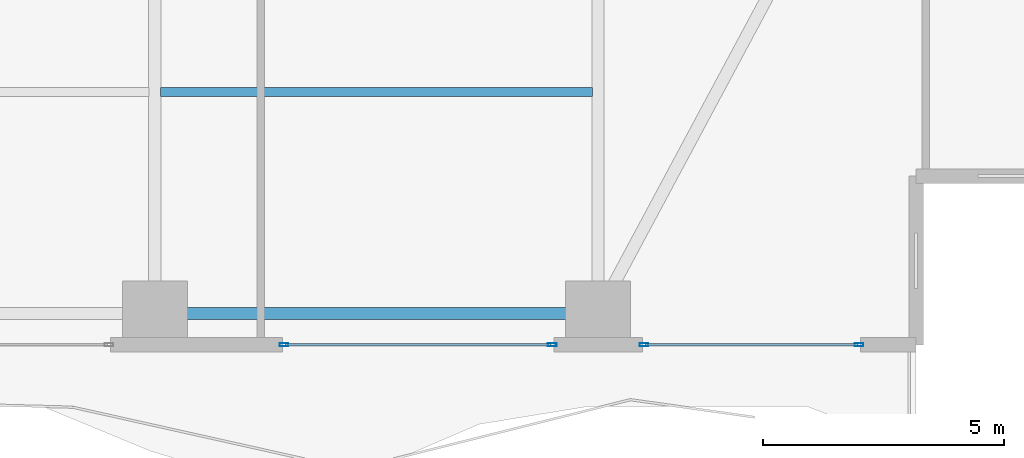
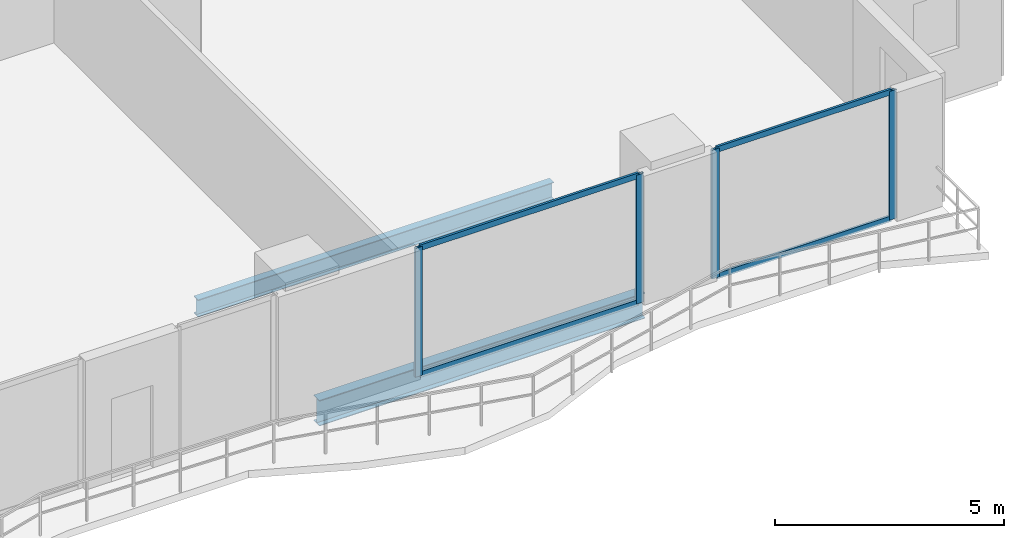
# One storey, part 9 of 29: 8 members, 2 beams, 2 elements without a shape of their own.
"""IFC4 building model written with IfcOpenShell, lengths in metres."""

from ifc_helpers import new_model, si_unit, direction, frame, origin, origin_2d, place, context, subcontext, project, spatial, hollow_rectangle, i_section, extrude, material, layer, layer_set, material_profile, profile_set, type_object, element, aggregate, save


model = new_model("IFC4")

# Units and contexts
model_context = context("Model", 3, precision=1e-05, world=origin(), true_north=direction((0.0, 1.0)))
body_context = subcontext(model_context, "Body", "Model", "MODEL_VIEW")
ifc_project = project(units=[si_unit("LENGTHUNIT", "METRE"), si_unit("AREAUNIT", "SQUARE_METRE"), si_unit("VOLUMEUNIT", "CUBIC_METRE"), si_unit("PLANEANGLEUNIT", "RADIAN"), si_unit("MASSUNIT", "GRAM", prefix="KILO")], contexts=[model_context])

# Site, building, storey
site_placement = place(None, origin())
site = spatial("IfcSite", under=ifc_project, at=site_placement, CompositionType="ELEMENT")
building_placement = place(site_placement, origin())
building = spatial("IfcBuilding", under=site, at=building_placement, Name="Zuhayl Quay Hotel", CompositionType="ELEMENT")
storey_placement = place(building_placement, frame((0.0, 0.0, 113.89990234375)))
storey = spatial("IfcBuildingStorey", under=building, at=storey_placement, Name="L28", CompositionType="ELEMENT", Elevation=113.89990234375)

# Beams
ifc_material_1 = material(Name="Steel ASTM A992 Grade 50", Category="steel")
ifc_material_profile_1 = material_profile(ifc_material_1, i_section(OverallWidth=0.25390625, OverallDepth=0.68310546875, WebThickness=0.012451171875, FlangeThickness=0.018798828125, at=origin_2d()), Name="W27X94")
ifc_profile_set_1 = profile_set([ifc_material_profile_1], Name="Steel ASTM A992 Grade 50")
beam_type_1 = type_object("IfcBeamType", Name="BM_B2_W27X94", PredefinedType="BEAM", material=ifc_profile_set_1)
beam_1_placement = place(storey_placement, frame((5.10009765625, -14.75, -0.5615234375), z_axis=(1.0, 0.0, 0.0), x_axis=(0.0, 1.0, 0.0)))
element("IfcBeam", 1, at=beam_1_placement, inside=storey, type_object=beam_type_1, Name="L28 Floor Beam RG_L28_03", PredefinedType="BEAM", context=body_context, shape_type="SweptSolid", body=[
    extrude(i_section(OverallWidth=0.25390625, OverallDepth=0.68310546875, WebThickness=0.012451171875, FlangeThickness=0.018798828125, at=origin_2d()), origin(), (0.0, 0.0, 1.0), 8.199951171875),
])
ifc_material_profile_2 = material_profile(ifc_material_1, i_section(OverallWidth=0.18994140625, OverallDepth=0.45703125, WebThickness=0.009033203125, FlangeThickness=0.014404296875, at=origin_2d()), Name="W18X50")
ifc_profile_set_2 = profile_set([ifc_material_profile_2], Name="Steel ASTM A992 Grade 50")
beam_type_2 = type_object("IfcBeamType", Name="BM_J2_W18X50", PredefinedType="JOIST", material=ifc_profile_set_2)
beam_2_placement = place(storey_placement, frame((4.718994140625, -10.14990234375, -0.448486328125), z_axis=(1.0, 0.0, 0.0), x_axis=(0.0, 1.0, 0.0)))
element("IfcBeam", 2, at=beam_2_placement, inside=storey, type_object=beam_type_2, Name="L28 Floor Beam FJ_L28_5_3", PredefinedType="JOIST", context=body_context, shape_type="SweptSolid", body=[
    extrude(i_section(OverallWidth=0.18994140625, OverallDepth=0.45703125, WebThickness=0.009033203125, FlangeThickness=0.014404296875, at=origin_2d()), origin(), (0.0, 0.0, 1.0), 8.9619140625),
])

# Curtain wall, members
ifc_material_2 = material(Name="Anodised Aluminium 6063-T6", Category="aluminium")
ifc_layer = layer(ifc_material_2, 0.179931640625, Name="Anodised Aluminium 6063-T6", Category="aluminium")
ifc_layer_set = layer_set([ifc_layer], Name="Anodised Aluminium 6063-T6")
curtain_wall_type = type_object("IfcCurtainWallType", Name="CW_SYS_Z2", PredefinedType="USERDEFINED", material=ifc_layer_set)
curtain_wall_1_placement = place(storey_placement, origin())
curtain_wall_1 = element("IfcCurtainWall", 3, at=curtain_wall_1_placement, inside=storey, type_object=curtain_wall_type, Name="L28 Curtain Wall ENV_L28_S_CW1", ObjectType="UNITISED CURTAIN WALL", PredefinedType="USERDEFINED")
ifc_material_3 = material(Name="Black-anodised aluminium 6063-T6", Category="aluminium")
ifc_material_profile_3 = material_profile(ifc_material_3, hollow_rectangle(XDim=0.06494140625, YDim=0.179931640625, WallThickness=0.00341796875, at=origin_2d()), Name="ALU180X65")
ifc_profile_set_3 = profile_set([ifc_material_profile_3], Name="Black-anodised aluminium 6063-T6")
member_type_1 = type_object("IfcMemberType", Name="MB_CW_MUL_180", PredefinedType="MULLION", material=ifc_profile_set_3)
member_1_placement = place(storey_placement, frame((19.217529296875, -15.39990234375, 0.0), z_axis=(0.0, 0.0, 1.0), x_axis=(0.0, -1.0, 0.0)))
member_1 = element("IfcMember", 4, at=member_1_placement, type_object=member_type_1, Name="CW-Z2 mullion 1", PredefinedType="MULLION", context=body_context, shape_type="SweptSolid", body=[
    extrude(hollow_rectangle(XDim=0.06494140625, YDim=0.179931640625, WallThickness=0.00341796875, at=origin_2d()), origin(), (0.0, 0.0, 1.0), 3.43017578125),
])
member_2_placement = place(storey_placement, frame((14.75244140625, -15.39990234375, 0.0), z_axis=(0.0, 0.0, 1.0), x_axis=(0.0, -1.0, 0.0)))
member_2 = element("IfcMember", 5, at=member_2_placement, type_object=member_type_1, Name="CW-Z2 mullion 2", PredefinedType="MULLION", context=body_context, shape_type="SweptSolid", body=[
    extrude(hollow_rectangle(XDim=0.06494140625, YDim=0.179931640625, WallThickness=0.00341796875, at=origin_2d()), origin(), (0.0, 0.0, 1.0), 3.43017578125),
])

curtain_wall_2_placement = place(storey_placement, origin())
curtain_wall_2 = element("IfcCurtainWall", 6, at=curtain_wall_2_placement, inside=storey, type_object=curtain_wall_type, Name="L28 Curtain Wall ENV_L28_S_CW2", ObjectType="UNITISED CURTAIN WALL", PredefinedType="USERDEFINED")
member_3_placement = place(storey_placement, frame((12.847412109375, -15.39990234375, 0.0), z_axis=(0.0, 0.0, 1.0), x_axis=(0.0, -1.0, 0.0)))
member_3 = element("IfcMember", 7, at=member_3_placement, type_object=member_type_1, Name="CW-Z2 mullion 1", PredefinedType="MULLION", context=body_context, shape_type="SweptSolid", body=[
    extrude(hollow_rectangle(XDim=0.06494140625, YDim=0.179931640625, WallThickness=0.00341796875, at=origin_2d()), origin(), (0.0, 0.0, 1.0), 3.43017578125),
])
member_4_placement = place(storey_placement, frame((7.282470703125, -15.39990234375, 0.0), z_axis=(0.0, 0.0, 1.0), x_axis=(0.0, -1.0, 0.0)))
member_4 = element("IfcMember", 8, at=member_4_placement, type_object=member_type_1, Name="CW-Z2 mullion 2", PredefinedType="MULLION", context=body_context, shape_type="SweptSolid", body=[
    extrude(hollow_rectangle(XDim=0.06494140625, YDim=0.179931640625, WallThickness=0.00341796875, at=origin_2d()), origin(), (0.0, 0.0, 1.0), 3.43017578125),
])

# Member
ifc_material_profile_4 = material_profile(ifc_material_3, hollow_rectangle(XDim=0.06005859375, YDim=0.14990234375, WallThickness=0.00341796875, at=origin_2d()), Name="ALU150X60")
ifc_profile_set_4 = profile_set([ifc_material_profile_4], Name="Black-anodised aluminium 6063-T6")
member_type_2 = type_object("IfcMemberType", Name="MB_CW_TRN_150", PredefinedType="USERDEFINED", material=ifc_profile_set_4)
member_5_placement = place(storey_placement, frame((19.18505859375, -15.39990234375, 0.030029296875), z_axis=(-1.0, 0.0, 0.0), x_axis=(0.0, -1.0, 0.0)))
member_5 = element("IfcMember", 9, at=member_5_placement, type_object=member_type_2, Name="CW-Z2 transom 1.1", ObjectType="TRANSOM", PredefinedType="USERDEFINED", context=body_context, shape_type="SweptSolid", body=[
    extrude(hollow_rectangle(XDim=0.06005859375, YDim=0.14990234375, WallThickness=0.00341796875, at=origin_2d()), origin(), (0.0, 0.0, 1.0), 4.400146484375),
])

member_6_placement = place(storey_placement, frame((19.18505859375, -15.39990234375, 3.400146484375), z_axis=(-1.0, 0.0, 0.0), x_axis=(0.0, -1.0, 0.0)))
member_6 = element("IfcMember", 10, at=member_6_placement, type_object=member_type_2, Name="CW-Z2 transom 1.2", ObjectType="TRANSOM", PredefinedType="USERDEFINED", context=body_context, shape_type="SweptSolid", body=[
    extrude(hollow_rectangle(XDim=0.06005859375, YDim=0.14990234375, WallThickness=0.00341796875, at=origin_2d()), origin(), (0.0, 0.0, 1.0), 4.400146484375),
])

aggregate(curtain_wall_1, [member_1, member_2, member_5, member_6])

member_7_placement = place(storey_placement, frame((12.81494140625, -15.39990234375, 0.030029296875), z_axis=(-1.0, 0.0, 0.0), x_axis=(0.0, -1.0, 0.0)))
member_7 = element("IfcMember", 11, at=member_7_placement, type_object=member_type_2, Name="CW-Z2 transom 1.1", ObjectType="TRANSOM", PredefinedType="USERDEFINED", context=body_context, shape_type="SweptSolid", body=[
    extrude(hollow_rectangle(XDim=0.06005859375, YDim=0.14990234375, WallThickness=0.00341796875, at=origin_2d()), origin(), (0.0, 0.0, 1.0), 5.5),
])

member_8_placement = place(storey_placement, frame((12.81494140625, -15.39990234375, 3.400146484375), z_axis=(-1.0, 0.0, 0.0), x_axis=(0.0, -1.0, 0.0)))
member_8 = element("IfcMember", 12, at=member_8_placement, type_object=member_type_2, Name="CW-Z2 transom 1.2", ObjectType="TRANSOM", PredefinedType="USERDEFINED", context=body_context, shape_type="SweptSolid", body=[
    extrude(hollow_rectangle(XDim=0.06005859375, YDim=0.14990234375, WallThickness=0.00341796875, at=origin_2d()), origin(), (0.0, 0.0, 1.0), 5.5),
])

aggregate(curtain_wall_2, [member_3, member_4, member_7, member_8])

save(model, "model.ifc")
